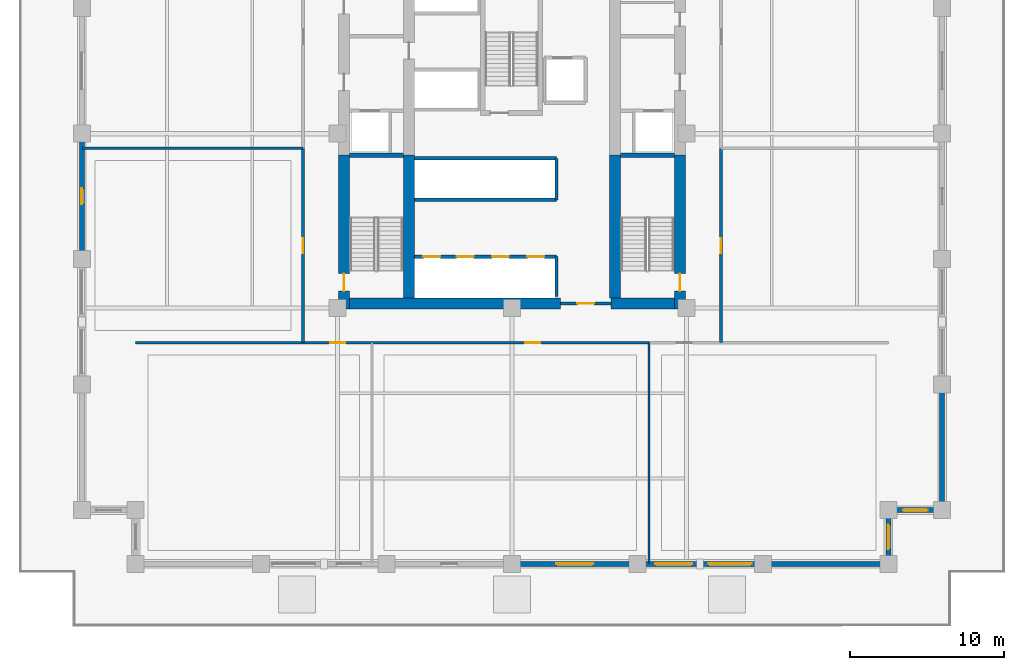
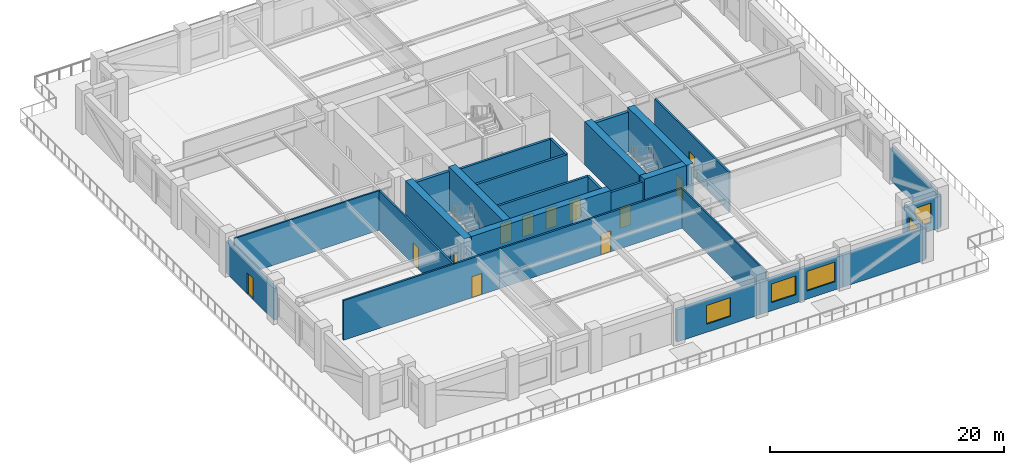
# One storey, part 3 of 13: 27 walls, 12 doors, 5 windows, 17 openings.
"""IFC4 building model written with IfcOpenShell, lengths in metres."""

from ifc_helpers import new_model, si_unit, direction, frame, frame_2d, origin, place, context, subcontext, project, spatial, rectangle, extrude, material, layer, layer_set, type_object, element, fill, save


model = new_model("IFC4")

# Units and contexts
model_context = context("Model", 3, precision=1e-05, world=origin(), true_north=direction((0.0, 1.0)))
body_context = subcontext(model_context, "Body", "Model", "MODEL_VIEW")
ifc_project = project(units=[si_unit("LENGTHUNIT", "METRE"), si_unit("AREAUNIT", "SQUARE_METRE"), si_unit("VOLUMEUNIT", "CUBIC_METRE"), si_unit("PLANEANGLEUNIT", "RADIAN"), si_unit("MASSUNIT", "GRAM", prefix="KILO")], contexts=[model_context])

# Site, building, storey
site_placement = place(None, origin())
site = spatial("IfcSite", under=ifc_project, at=site_placement, CompositionType="ELEMENT")
building_placement = place(site_placement, origin())
building = spatial("IfcBuilding", under=site, at=building_placement, Name="Nhamokura Convention Tower", CompositionType="ELEMENT")
storey_placement = place(building_placement, frame((0.0, 0.0, 34.300048828125)))
storey = spatial("IfcBuildingStorey", under=building, at=storey_placement, Name="L06", CompositionType="ELEMENT", Elevation=34.300048828125)

# Wall, opening, window
ifc_material_1 = material(Name="Bronze-pigmented precast concrete C45/55", Category="concrete")
ifc_layer_1 = layer(ifc_material_1, 0.320068359375)
ifc_layer_set_1 = layer_set([ifc_layer_1], Name="BronzePrecastSpandrel_320")
wall_type_1 = type_object("IfcWallType", Name="BronzePrecastSpandrel_320", PredefinedType="USERDEFINED", material=ifc_layer_set_1)
wall_1_placement = place(storey_placement, frame((40.166748046875, 4.0, 0.0), z_axis=(0.0, 0.0, 1.0), x_axis=(-1.0, 0.0, 0.0)))
wall_1 = element("IfcWall", 1, at=wall_1_placement, inside=storey, type_object=wall_type_1, Name="L06 Masonry-Frame Wall SOUTH 3", ObjectType="SPANDREL_WALL", PredefinedType="USERDEFINED", context=body_context, shape_type="SweptSolid", body=[
    extrude(rectangle(XDim=8.166748046875, YDim=0.320068359375, at=frame_2d((4.08349609375, 0.0))), origin(), (0.0, 0.0, 1.0), 3.329833984375),
])
opening_1_placement = place(wall_1_placement, frame((2.88330078125, 0.0, 0.85009765625)))
opening_1 = element("IfcOpeningElement", 2, at=opening_1_placement, cuts=wall_1, Name="Opening W-03", PredefinedType="OPENING", context=body_context, shape_type="SweptSolid", body=[
    extrude(rectangle(XDim=2.39990234375, YDim=1.949951171875, at=frame_2d((1.199951171875, 0.97509765625))), frame((0.0, 0.169921875, 0.0), z_axis=(0.0, -1.0, 0.0), x_axis=(1.0, 0.0, 0.0)), (0.0, 0.0, 1.0), 0.340087890625),
])
ifc_material_2 = material(Name="Solar-control bronze low-E double glass", Category="glass")
window_type_1 = type_object("IfcWindowType", Name="HotelBayWindow_2400", PartitioningType="DOUBLE_PANEL_VERTICAL", PredefinedType="WINDOW", material=ifc_material_2)
window_1_placement = place(opening_1_placement, origin())
window_1 = element("IfcWindow", 3, at=window_1_placement, inside=storey, type_object=window_type_1, Name="L06 Facade Window SOUTH 3", OverallHeight=1.949951171875, OverallWidth=2.39990234375, PartitioningType="SINGLE_PANEL", PredefinedType="WINDOW", context=body_context, shape_type="SweptSolid", body=[
    extrude(rectangle(XDim=2.39990234375, YDim=1.949951171875, at=frame_2d((1.199951171875, 0.97509765625))), frame((0.0, 0.030029296875, 0.0), z_axis=(0.0, -1.0, 0.0), x_axis=(1.0, 0.0, 0.0)), (0.0, 0.0, 1.0), 0.06005859375),
])
fill(opening_1, window_1)

# Wall, openings, windows
wall_2_placement = place(storey_placement, frame((48.333251953125, 4.0, 0.0), z_axis=(0.0, 0.0, 1.0), x_axis=(-1.0, 0.0, 0.0)))
wall_2 = element("IfcWall", 4, at=wall_2_placement, inside=storey, type_object=wall_type_1, Name="L06 Masonry-Frame Wall SOUTH 4", ObjectType="SPANDREL_WALL", PredefinedType="USERDEFINED", context=body_context, shape_type="SweptSolid", body=[
    extrude(rectangle(XDim=8.16650390625, YDim=0.320068359375, at=frame_2d((4.083251953125, 0.0))), origin(), (0.0, 0.0, 1.0), 3.329833984375),
])
opening_2_placement = place(wall_2_placement, frame((0.74169921875, 0.0, 0.85009765625)))
opening_2 = element("IfcOpeningElement", 5, at=opening_2_placement, cuts=wall_2, Name="Opening W-04", PredefinedType="OPENING", context=body_context, shape_type="SweptSolid", body=[
    extrude(rectangle(XDim=2.800048828125, YDim=2.050048828125, at=frame_2d((1.39990234375, 1.02490234375))), frame((0.0, 0.169921875, 0.0), z_axis=(0.0, -1.0, 0.0), x_axis=(1.0, 0.0, 0.0)), (0.0, 0.0, 1.0), 0.340087890625),
])
opening_3_placement = place(wall_2_placement, frame((4.612548828125, 0.0, 0.85009765625)))
opening_3 = element("IfcOpeningElement", 6, at=opening_3_placement, cuts=wall_2, Name="Opening W-03", PredefinedType="OPENING", context=body_context, shape_type="SweptSolid", body=[
    extrude(rectangle(XDim=2.39990234375, YDim=1.949951171875, at=frame_2d((1.199951171875, 0.97509765625))), frame((0.0, 0.169921875, 0.0), z_axis=(0.0, -1.0, 0.0), x_axis=(1.0, 0.0, 0.0)), (0.0, 0.0, 1.0), 0.340087890625),
])
window_2_placement = place(opening_3_placement, origin())
window_2 = element("IfcWindow", 7, at=window_2_placement, inside=storey, type_object=window_type_1, Name="L06 Facade Window SOUTH 4-2", OverallHeight=1.949951171875, OverallWidth=2.39990234375, PartitioningType="SINGLE_PANEL", PredefinedType="WINDOW", context=body_context, shape_type="SweptSolid", body=[
    extrude(rectangle(XDim=2.39990234375, YDim=1.949951171875, at=frame_2d((1.199951171875, 0.97509765625))), frame((0.0, 0.030029296875, 0.0), z_axis=(0.0, -1.0, 0.0), x_axis=(1.0, 0.0, 0.0)), (0.0, 0.0, 1.0), 0.06005859375),
])
fill(opening_3, window_2)
ifc_material_3 = material(Name="Solar-control bronze low-E double glass", Category="glass")
window_type_2 = type_object("IfcWindowType", Name="HotelSuiteWindow_2800", PartitioningType="DOUBLE_PANEL_VERTICAL", PredefinedType="WINDOW", material=ifc_material_3)
window_3_placement = place(opening_2_placement, origin())
window_3 = element("IfcWindow", 8, at=window_3_placement, inside=storey, type_object=window_type_2, Name="L06 Facade Window SOUTH 4-1", OverallHeight=2.050048828125, OverallWidth=2.800048828125, PartitioningType="SINGLE_PANEL", PredefinedType="WINDOW", context=body_context, shape_type="SweptSolid", body=[
    extrude(rectangle(XDim=2.800048828125, YDim=2.050048828125, at=frame_2d((1.39990234375, 1.02490234375))), frame((0.0, 0.030029296875, 0.0), z_axis=(0.0, -1.0, 0.0), x_axis=(1.0, 0.0, 0.0)), (0.0, 0.0, 1.0), 0.06005859375),
])
fill(opening_2, window_3)

# Wall
wall_3_placement = place(storey_placement, frame((56.5, 4.0, 0.0), z_axis=(0.0, 0.0, 1.0), x_axis=(-1.0, 0.0, 0.0)))
element("IfcWall", 9, at=wall_3_placement, inside=storey, type_object=wall_type_1, Name="L06 Braced-Bay Precast Wall SOUTH 5", ObjectType="SPANDREL_WALL", PredefinedType="USERDEFINED", context=body_context, shape_type="SweptSolid", body=[
    extrude(rectangle(XDim=8.166748046875, YDim=0.320068359375, at=frame_2d((4.08349609375, 0.0))), origin(), (0.0, 0.0, 1.0), 3.329833984375),
])

# Wall, opening, door
wall_4_placement = place(storey_placement, frame((4.0, 23.833251953125, 0.0), z_axis=(0.0, 0.0, 1.0), x_axis=(0.0, 1.0, 0.0)))
wall_4 = element("IfcWall", 10, at=wall_4_placement, inside=storey, type_object=wall_type_1, Name="L06 Masonry-Frame Wall WEST 2", ObjectType="SPANDREL_WALL", PredefinedType="USERDEFINED", context=body_context, shape_type="SweptSolid", body=[
    extrude(rectangle(XDim=8.166748046875, YDim=0.320068359375, at=frame_2d((4.08349609375, 0.0))), origin(), (0.0, 0.0, 1.0), 3.329833984375),
])
opening_4_placement = place(wall_4_placement, frame((3.558349609375, 0.0, 0.0)))
opening_4 = element("IfcOpeningElement", 11, at=opening_4_placement, cuts=wall_4, Name="Opening D-06", PredefinedType="OPENING", context=body_context, shape_type="SweptSolid", body=[
    extrude(rectangle(XDim=1.050048828125, YDim=2.199951171875, at=frame_2d((0.52490234375, 1.10009765625))), frame((0.0, 0.169921875, 0.0), z_axis=(0.0, -1.0, 0.0), x_axis=(1.0, 0.0, 0.0)), (0.0, 0.0, 1.0), 0.340087890625),
])
ifc_material_4 = material(Name="Anodised bronze aluminium AA6063-T6", Category="aluminium")
door_type_1 = type_object("IfcDoorType", Name="TerraceAccessDoor_1050", OperationType="NOTDEFINED", PredefinedType="DOOR", material=ifc_material_4)
door_1_placement = place(opening_4_placement, origin())
door_1 = element("IfcDoor", 12, at=door_1_placement, inside=storey, type_object=door_type_1, Name="L06 Setback Terrace Access Door WEST", OperationType="SINGLE_SWING_RIGHT", OverallHeight=2.199951171875, OverallWidth=1.050048828125, PredefinedType="DOOR", context=body_context, shape_type="SweptSolid", body=[
    extrude(rectangle(XDim=1.050048828125, YDim=2.199951171875, at=frame_2d((0.52490234375, 1.10009765625))), frame((0.0, 0.02490234375, 0.0), z_axis=(0.0, -1.0, 0.0), x_axis=(1.0, 0.0, 0.0)), (0.0, 0.0, 1.0), 0.050048828125),
])
fill(opening_4, door_1)

# Wall
wall_5_placement = place(storey_placement, frame((60.0, 15.666748046875, 0.0), z_axis=(0.0, 0.0, 1.0), x_axis=(0.0, -1.0, 0.0)))
element("IfcWall", 13, at=wall_5_placement, inside=storey, type_object=wall_type_1, Name="L06 Braced-Bay Precast Wall EAST 0", ObjectType="SPANDREL_WALL", PredefinedType="USERDEFINED", context=body_context, shape_type="SweptSolid", body=[
    extrude(rectangle(XDim=8.166748046875, YDim=0.320068359375, at=frame_2d((4.08349609375, 0.0))), origin(), (0.0, 0.0, 1.0), 3.329833984375),
])

# Wall, opening, window
wall_6_placement = place(storey_placement, frame((56.5, 7.5, 0.0), z_axis=(0.0, 0.0, 1.0), x_axis=(0.0, -1.0, 0.0)))
wall_6 = element("IfcWall", 14, at=wall_6_placement, inside=storey, type_object=wall_type_1, Name="L06 Notched Corner Wall SE1", ObjectType="SPANDREL_WALL", PredefinedType="USERDEFINED", context=body_context, shape_type="SweptSolid", body=[
    extrude(rectangle(XDim=3.5, YDim=0.320068359375, at=frame_2d((1.75, 0.0))), origin(), (0.0, 0.0, 1.0), 3.329833984375),
])
opening_5_placement = place(wall_6_placement, frame((0.949951171875, 0.0, 0.85009765625)))
opening_5 = element("IfcOpeningElement", 15, at=opening_5_placement, cuts=wall_6, Name="Opening W-11", PredefinedType="OPENING", context=body_context, shape_type="SweptSolid", body=[
    extrude(rectangle(XDim=1.60009765625, YDim=2.050048828125, at=frame_2d((0.800048828125, 1.02490234375))), frame((0.0, 0.169921875, 0.0), z_axis=(0.0, -1.0, 0.0), x_axis=(1.0, 0.0, 0.0)), (0.0, 0.0, 1.0), 0.340087890625),
])
ifc_material_5 = material(Name="Solar-control bronze low-E double glass", Category="glass")
window_type_3 = type_object("IfcWindowType", Name="NotchCornerWindow_1600", PartitioningType="SINGLE_PANEL", PredefinedType="WINDOW", material=ifc_material_5)
window_4_placement = place(opening_5_placement, origin())
window_4 = element("IfcWindow", 16, at=window_4_placement, inside=storey, type_object=window_type_3, Name="L06 Notched Corner Window SE1", OverallHeight=2.050048828125, OverallWidth=1.60009765625, PartitioningType="SINGLE_PANEL", PredefinedType="WINDOW", context=body_context, shape_type="SweptSolid", body=[
    extrude(rectangle(XDim=1.60009765625, YDim=2.050048828125, at=frame_2d((0.800048828125, 1.02490234375))), frame((0.0, 0.030029296875, 0.0), z_axis=(0.0, -1.0, 0.0), x_axis=(1.0, 0.0, 0.0)), (0.0, 0.0, 1.0), 0.06005859375),
])
fill(opening_5, window_4)

wall_7_placement = place(storey_placement, frame((60.0, 7.5, 0.0), z_axis=(0.0, 0.0, 1.0), x_axis=(-1.0, 0.0, 0.0)))
wall_7 = element("IfcWall", 17, at=wall_7_placement, inside=storey, type_object=wall_type_1, Name="L06 Notched Corner Wall SE2", ObjectType="SPANDREL_WALL", PredefinedType="USERDEFINED", context=body_context, shape_type="SweptSolid", body=[
    extrude(rectangle(XDim=3.5, YDim=0.320068359375, at=frame_2d((1.75, 0.0))), origin(), (0.0, 0.0, 1.0), 3.329833984375),
])
opening_6_placement = place(wall_7_placement, frame((0.949951171875, 0.0, 0.85009765625)))
opening_6 = element("IfcOpeningElement", 18, at=opening_6_placement, cuts=wall_7, Name="Opening W-11", PredefinedType="OPENING", context=body_context, shape_type="SweptSolid", body=[
    extrude(rectangle(XDim=1.60009765625, YDim=2.050048828125, at=frame_2d((0.800048828125, 1.02490234375))), frame((0.0, 0.169921875, 0.0), z_axis=(0.0, -1.0, 0.0), x_axis=(1.0, 0.0, 0.0)), (0.0, 0.0, 1.0), 0.340087890625),
])
window_5_placement = place(opening_6_placement, origin())
window_5 = element("IfcWindow", 19, at=window_5_placement, inside=storey, type_object=window_type_3, Name="L06 Notched Corner Window SE2", OverallHeight=2.050048828125, OverallWidth=1.60009765625, PartitioningType="SINGLE_PANEL", PredefinedType="WINDOW", context=body_context, shape_type="SweptSolid", body=[
    extrude(rectangle(XDim=1.60009765625, YDim=2.050048828125, at=frame_2d((0.800048828125, 1.02490234375))), frame((0.0, 0.030029296875, 0.0), z_axis=(0.0, -1.0, 0.0), x_axis=(1.0, 0.0, 0.0)), (0.0, 0.0, 1.0), 0.06005859375),
])
fill(opening_6, window_5)

# Wall, opening, door
ifc_material_6 = material(Name="Concrete C70/85", Category="concrete")
ifc_layer_2 = layer(ifc_material_6, 0.699951171875)
ifc_layer_set_2 = layer_set([ifc_layer_2], Name="CoreShearWall_700")
wall_type_2 = type_object("IfcWallType", Name="CoreShearWall_700", PredefinedType="SHEAR", material=ifc_layer_set_2)
wall_8_placement = place(storey_placement, frame((21.06005859375, 20.60009765625, 0.0), z_axis=(0.0, 0.0, 1.0), x_axis=(0.0, 1.0, 0.0)))
wall_8 = element("IfcWall", 20, at=wall_8_placement, inside=storey, type_object=wall_type_2, Name="L06 Core Shear Wall CW-WS", PredefinedType="SHEAR", context=body_context, shape_type="SweptSolid", body=[
    extrude(rectangle(XDim=10.0, YDim=0.699951171875, at=frame_2d((5.0, 0.0))), origin(), (0.0, 0.0, 1.0), 4.550048828125),
])
opening_7_placement = place(wall_8_placement, frame((1.14990234375, 0.0, 0.0)))
opening_7 = element("IfcOpeningElement", 21, at=opening_7_placement, cuts=wall_8, Name="Opening D-04", PredefinedType="OPENING", context=body_context, shape_type="SweptSolid", body=[
    extrude(rectangle(XDim=1.14990234375, YDim=2.14990234375, at=frame_2d((0.574951171875, 1.074951171875))), frame((0.0, 0.35986328125, 0.0), z_axis=(0.0, -1.0, 0.0), x_axis=(1.0, 0.0, 0.0)), (0.0, 0.0, 1.0), 0.719970703125),
])
ifc_material_7 = material(Name="Fire-rated steel door", Category="steel")
door_type_2 = type_object("IfcDoorType", Name="StairSmokeDoor_1150", OperationType="NOTDEFINED", PredefinedType="DOOR", material=ifc_material_7)
door_2_placement = place(opening_7_placement, origin())
door_2 = element("IfcDoor", 22, at=door_2_placement, inside=storey, type_object=door_type_2, Name="L06 Core Door INT-L06-D-ST01", OperationType="SINGLE_SWING_LEFT", OverallHeight=2.14990234375, OverallWidth=1.14990234375, PredefinedType="DOOR", context=body_context, shape_type="SweptSolid", body=[
    extrude(rectangle(XDim=1.14990234375, YDim=2.14990234375, at=frame_2d((0.574951171875, 1.074951171875))), frame((0.0, 0.02490234375, 0.0), z_axis=(0.0, -1.0, 0.0), x_axis=(1.0, 0.0, 0.0)), (0.0, 0.0, 1.0), 0.050048828125),
])
fill(opening_7, door_2)

wall_9_placement = place(storey_placement, frame((42.93994140625, 20.60009765625, 0.0), z_axis=(0.0, 0.0, 1.0), x_axis=(0.0, 1.0, 0.0)))
wall_9 = element("IfcWall", 23, at=wall_9_placement, inside=storey, type_object=wall_type_2, Name="L06 Core Shear Wall CW-ES", PredefinedType="SHEAR", context=body_context, shape_type="SweptSolid", body=[
    extrude(rectangle(XDim=10.0, YDim=0.699951171875, at=frame_2d((5.0, 0.0))), origin(), (0.0, 0.0, 1.0), 4.550048828125),
])
opening_8_placement = place(wall_9_placement, frame((1.14990234375, 0.0, 0.0)))
opening_8 = element("IfcOpeningElement", 24, at=opening_8_placement, cuts=wall_9, Name="Opening D-04", PredefinedType="OPENING", context=body_context, shape_type="SweptSolid", body=[
    extrude(rectangle(XDim=1.14990234375, YDim=2.14990234375, at=frame_2d((0.574951171875, 1.074951171875))), frame((0.0, 0.35986328125, 0.0), z_axis=(0.0, -1.0, 0.0), x_axis=(1.0, 0.0, 0.0)), (0.0, 0.0, 1.0), 0.719970703125),
])
door_3_placement = place(opening_8_placement, origin())
door_3 = element("IfcDoor", 25, at=door_3_placement, inside=storey, type_object=door_type_2, Name="L06 Core Door INT-L06-D-ST02", OperationType="SINGLE_SWING_RIGHT", OverallHeight=2.14990234375, OverallWidth=1.14990234375, PredefinedType="DOOR", context=body_context, shape_type="SweptSolid", body=[
    extrude(rectangle(XDim=1.14990234375, YDim=2.14990234375, at=frame_2d((0.574951171875, 1.074951171875))), frame((0.0, 0.02490234375, 0.0), z_axis=(0.0, -1.0, 0.0), x_axis=(1.0, 0.0, 0.0)), (0.0, 0.0, 1.0), 0.050048828125),
])
fill(opening_8, door_3)

# Walls
wall_10_placement = place(storey_placement, frame((21.409912109375, 20.949951171875, 0.0), z_axis=(0.0, 0.0, 1.0), x_axis=(1.0, 0.0, 0.0)))
element("IfcWall", 26, at=wall_10_placement, inside=storey, type_object=wall_type_2, Name="L06 Core Shear Wall CW-S1", PredefinedType="SHEAR", context=body_context, shape_type="SweptSolid", body=[
    extrude(rectangle(XDim=13.739990234375, YDim=0.699951171875, at=frame_2d((6.8701171875, 0.0))), origin(), (0.0, 0.0, 1.0), 4.550048828125),
])
wall_11_placement = place(storey_placement, frame((38.449951171875, 20.949951171875, 0.0), z_axis=(0.0, 0.0, 1.0), x_axis=(1.0, 0.0, 0.0)))
element("IfcWall", 27, at=wall_11_placement, inside=storey, type_object=wall_type_2, Name="L06 Core Shear Wall CW-S2", PredefinedType="SHEAR", context=body_context, shape_type="SweptSolid", body=[
    extrude(rectangle(XDim=4.14013671875, YDim=0.699951171875, at=frame_2d((2.070068359375, 0.0))), origin(), (0.0, 0.0, 1.0), 4.550048828125),
])
for number, where, z_axis, x_axis, name in (
    (28, (25.2900390625, 21.300048828125, 0.0), (0.0, 0.0, 1.0), (0.0, 1.0, 0.0), "L06 Core Shear Wall CW-IWS"),
    (29, (38.7099609375, 21.300048828125, 0.0), (0.0, 0.0, 1.0), (0.0, 1.0, 0.0), "L06 Core Shear Wall CW-IES"),
):
    element("IfcWall", number, at=place(storey_placement, frame(where, z_axis=z_axis, x_axis=x_axis)), inside=storey, type_object=wall_type_2, Name=name, PredefinedType="SHEAR", context=body_context, shape_type="SweptSolid", body=[
        extrude(rectangle(XDim=9.300048828125, YDim=0.699951171875, at=frame_2d((4.64990234375, 0.0))), origin(), (0.0, 0.0, 1.0), 4.550048828125),
    ])

# Wall, opening, door
ifc_material_8 = material(Name="Fire-rated gypsum and masonry partition", Category="masonry")
ifc_layer_3 = layer(ifc_material_8, 0.179931640625)
ifc_layer_set_3 = layer_set([ifc_layer_3], Name="CorridorRatedWall_180")
wall_type_3 = type_object("IfcWallType", Name="CorridorRatedWall_180", PredefinedType="STANDARD", material=ifc_layer_set_3)
wall_12_placement = place(storey_placement, frame((7.5, 18.39990234375, 0.0), z_axis=(0.0, 0.0, 1.0), x_axis=(1.0, 0.0, 0.0)))
wall_12 = element("IfcWall", 30, at=wall_12_placement, inside=storey, type_object=wall_type_3, Name="L06 Wall INT-L06-CW-S00", PredefinedType="STANDARD", context=body_context, shape_type="SweptSolid", body=[
    extrude(rectangle(XDim=15.38330078125, YDim=0.179931640625, at=frame_2d((7.691650390625, 0.0))), origin(), (0.0, 0.0, 1.0), 4.1298828125),
])
opening_9_placement = place(wall_12_placement, frame((12.66650390625, 0.0, 0.0)))
opening_9 = element("IfcOpeningElement", 31, at=opening_9_placement, cuts=wall_12, Name="Opening D-08", PredefinedType="OPENING", context=body_context, shape_type="SweptSolid", body=[
    extrude(rectangle(XDim=0.97998046875, YDim=2.199951171875, at=frame_2d((0.489990234375, 1.10009765625))), frame((0.0, 0.099853515625, 0.0), z_axis=(0.0, -1.0, 0.0), x_axis=(1.0, 0.0, 0.0)), (0.0, 0.0, 1.0), 0.199951171875),
])
ifc_material_9 = material(Name="Solid oak hardwood", Category="wood")
door_type_3 = type_object("IfcDoorType", Name="OfficeEntryDoor_980", OperationType="NOTDEFINED", PredefinedType="DOOR", material=ifc_material_9)
door_4_placement = place(opening_9_placement, origin())
door_4 = element("IfcDoor", 32, at=door_4_placement, inside=storey, type_object=door_type_3, Name="L06 All-Day Dining Restaurant S01 Door", OperationType="SINGLE_SWING_LEFT", OverallHeight=2.199951171875, OverallWidth=0.97998046875, PredefinedType="DOOR", context=body_context, shape_type="SweptSolid", body=[
    extrude(rectangle(XDim=0.97998046875, YDim=2.199951171875, at=frame_2d((0.489990234375, 1.10009765625))), frame((0.0, 0.02490234375, 0.0), z_axis=(0.0, -1.0, 0.0), x_axis=(1.0, 0.0, 0.0)), (0.0, 0.0, 1.0), 0.050048828125),
])
fill(opening_9, door_4)

wall_13_placement = place(storey_placement, frame((22.88330078125, 18.39990234375, 0.0), z_axis=(0.0, 0.0, 1.0), x_axis=(1.0, 0.0, 0.0)))
wall_13 = element("IfcWall", 33, at=wall_13_placement, inside=storey, type_object=wall_type_3, Name="L06 Wall INT-L06-CW-S01", PredefinedType="STANDARD", context=body_context, shape_type="SweptSolid", body=[
    extrude(rectangle(XDim=18.033447265625, YDim=0.179931640625, at=frame_2d((9.0166015625, 0.0))), origin(), (0.0, 0.0, 1.0), 4.1298828125),
])
opening_10_placement = place(wall_13_placement, frame((9.966796875, 0.0, 0.0)))
opening_10 = element("IfcOpeningElement", 34, at=opening_10_placement, cuts=wall_13, Name="Opening D-08", PredefinedType="OPENING", context=body_context, shape_type="SweptSolid", body=[
    extrude(rectangle(XDim=0.97998046875, YDim=2.199951171875, at=frame_2d((0.489990234375, 1.10009765625))), frame((0.0, 0.099853515625, 0.0), z_axis=(0.0, -1.0, 0.0), x_axis=(1.0, 0.0, 0.0)), (0.0, 0.0, 1.0), 0.199951171875),
])
door_5_placement = place(opening_10_placement, origin())
door_5 = element("IfcDoor", 35, at=door_5_placement, inside=storey, type_object=door_type_3, Name="L06 Podium Terrace Lounge S02 Door", OperationType="SINGLE_SWING_RIGHT", OverallHeight=2.199951171875, OverallWidth=0.97998046875, PredefinedType="DOOR", context=body_context, shape_type="SweptSolid", body=[
    extrude(rectangle(XDim=0.97998046875, YDim=2.199951171875, at=frame_2d((0.489990234375, 1.10009765625))), frame((0.0, 0.02490234375, 0.0), z_axis=(0.0, -1.0, 0.0), x_axis=(1.0, 0.0, 0.0)), (0.0, 0.0, 1.0), 0.050048828125),
])
fill(opening_10, door_5)

wall_14_placement = place(storey_placement, frame((18.39990234375, 18.39990234375, 0.0), z_axis=(0.0, 0.0, 1.0), x_axis=(0.0, 1.0, 0.0)))
wall_14 = element("IfcWall", 36, at=wall_14_placement, inside=storey, type_object=wall_type_3, Name="L06 Wall INT-L06-CW-W00", PredefinedType="STANDARD", context=body_context, shape_type="SweptSolid", body=[
    extrude(rectangle(XDim=12.650146484375, YDim=0.179931640625, at=frame_2d((6.3251953125, 0.0))), origin(), (0.0, 0.0, 1.0), 4.1298828125),
])
opening_11_placement = place(wall_14_placement, frame((5.824951171875, 0.0, 0.0)))
opening_11 = element("IfcOpeningElement", 37, at=opening_11_placement, cuts=wall_14, Name="Opening D-08", PredefinedType="OPENING", context=body_context, shape_type="SweptSolid", body=[
    extrude(rectangle(XDim=0.97998046875, YDim=2.199951171875, at=frame_2d((0.489990234375, 1.10009765625))), frame((0.0, 0.099853515625, 0.0), z_axis=(0.0, -1.0, 0.0), x_axis=(1.0, 0.0, 0.0)), (0.0, 0.0, 1.0), 0.199951171875),
])
door_6_placement = place(opening_11_placement, origin())
door_6 = element("IfcDoor", 38, at=door_6_placement, inside=storey, type_object=door_type_3, Name="L06 Restaurant Kitchen W01 Door", OperationType="SINGLE_SWING_LEFT", OverallHeight=2.199951171875, OverallWidth=0.97998046875, PredefinedType="DOOR", context=body_context, shape_type="SweptSolid", body=[
    extrude(rectangle(XDim=0.97998046875, YDim=2.199951171875, at=frame_2d((0.489990234375, 1.10009765625))), frame((0.0, 0.02490234375, 0.0), z_axis=(0.0, -1.0, 0.0), x_axis=(1.0, 0.0, 0.0)), (0.0, 0.0, 1.0), 0.050048828125),
])
fill(opening_11, door_6)

wall_15_placement = place(storey_placement, frame((45.60009765625, 18.39990234375, 0.0), z_axis=(0.0, 0.0, 1.0), x_axis=(0.0, 1.0, 0.0)))
wall_15 = element("IfcWall", 39, at=wall_15_placement, inside=storey, type_object=wall_type_3, Name="L06 Wall INT-L06-CW-E00", PredefinedType="STANDARD", context=body_context, shape_type="SweptSolid", body=[
    extrude(rectangle(XDim=12.650146484375, YDim=0.179931640625, at=frame_2d((6.3251953125, 0.0))), origin(), (0.0, 0.0, 1.0), 4.1298828125),
])
opening_12_placement = place(wall_15_placement, frame((5.824951171875, 0.0, 0.0)))
opening_12 = element("IfcOpeningElement", 40, at=opening_12_placement, cuts=wall_15, Name="Opening D-08", PredefinedType="OPENING", context=body_context, shape_type="SweptSolid", body=[
    extrude(rectangle(XDim=0.97998046875, YDim=2.199951171875, at=frame_2d((0.489990234375, 1.10009765625))), frame((0.0, 0.099853515625, 0.0), z_axis=(0.0, -1.0, 0.0), x_axis=(1.0, 0.0, 0.0)), (0.0, 0.0, 1.0), 0.199951171875),
])
door_7_placement = place(opening_12_placement, origin())
door_7 = element("IfcDoor", 41, at=door_7_placement, inside=storey, type_object=door_type_3, Name="L06 Club Lounge E01 Door", OperationType="SINGLE_SWING_LEFT", OverallHeight=2.199951171875, OverallWidth=0.97998046875, PredefinedType="DOOR", context=body_context, shape_type="SweptSolid", body=[
    extrude(rectangle(XDim=0.97998046875, YDim=2.199951171875, at=frame_2d((0.489990234375, 1.10009765625))), frame((0.0, 0.02490234375, 0.0), z_axis=(0.0, -1.0, 0.0), x_axis=(1.0, 0.0, 0.0)), (0.0, 0.0, 1.0), 0.050048828125),
])
fill(opening_12, door_7)

ifc_material_10 = material(Name="Autoclaved concrete blockwork", Category="masonry")
ifc_layer_4 = layer(ifc_material_10, 0.219970703125)
ifc_layer_set_4 = layer_set([ifc_layer_4], Name="FireLobbyWall_220")
wall_type_4 = type_object("IfcWallType", Name="FireLobbyWall_220", PredefinedType="STANDARD", material=ifc_layer_set_4)
wall_16_placement = place(storey_placement, frame((35.14990234375, 20.949951171875, 0.0), z_axis=(0.0, 0.0, 1.0), x_axis=(1.0, 0.0, 0.0)))
wall_16 = element("IfcWall", 42, at=wall_16_placement, inside=storey, type_object=wall_type_4, Name="L06 Wall INT-L06-SPORT-S", PredefinedType="STANDARD", context=body_context, shape_type="SweptSolid", body=[
    extrude(rectangle(XDim=3.300048828125, YDim=0.219970703125, at=frame_2d((1.64990234375, 0.0))), origin(), (0.0, 0.0, 1.0), 4.1298828125),
])
opening_13_placement = place(wall_16_placement, frame((1.10009765625, 0.0, 0.0)))
opening_13 = element("IfcOpeningElement", 43, at=opening_13_placement, cuts=wall_16, Name="Opening D-05", PredefinedType="OPENING", context=body_context, shape_type="SweptSolid", body=[
    extrude(rectangle(XDim=1.10009765625, YDim=2.14990234375, at=frame_2d((0.550048828125, 1.074951171875))), frame((0.0, 0.119873046875, 0.0), z_axis=(0.0, -1.0, 0.0), x_axis=(1.0, 0.0, 0.0)), (0.0, 0.0, 1.0), 0.239990234375),
])
ifc_material_11 = material(Name="Fire-rated steel door", Category="steel")
door_type_4 = type_object("IfcDoorType", Name="FireLobbyDoor_1100", OperationType="NOTDEFINED", PredefinedType="DOOR", material=ifc_material_11)
door_8_placement = place(opening_13_placement, origin())
door_8 = element("IfcDoor", 44, at=door_8_placement, inside=storey, type_object=door_type_4, Name="L06 South Core Lobby Portal Door", OperationType="SINGLE_SWING_LEFT", OverallHeight=2.14990234375, OverallWidth=1.10009765625, PredefinedType="DOOR", context=body_context, shape_type="SweptSolid", body=[
    extrude(rectangle(XDim=1.10009765625, YDim=2.14990234375, at=frame_2d((0.550048828125, 1.074951171875))), frame((0.0, 0.02490234375, 0.0), z_axis=(0.0, -1.0, 0.0), x_axis=(1.0, 0.0, 0.0)), (0.0, 0.0, 1.0), 0.050048828125),
])
fill(opening_13, door_8)

# Wall, openings, doors
wall_17_placement = place(storey_placement, frame((25.64990234375, 24.0, 0.0), z_axis=(0.0, 0.0, 1.0), x_axis=(1.0, 0.0, 0.0)))
wall_17 = element("IfcWall", 45, at=wall_17_placement, inside=storey, type_object=wall_type_4, Name="L06 Wall INT-L06-B1N", PredefinedType="STANDARD", context=body_context, shape_type="SweptSolid", body=[
    extrude(rectangle(XDim=9.25, YDim=0.219970703125, at=frame_2d((4.625, 0.0))), origin(), (0.0, 0.0, 1.0), 4.1298828125),
])
opening_14_placement = place(wall_17_placement, frame((0.580078125, 0.0, 0.0)))
opening_14 = element("IfcOpeningElement", 46, at=opening_14_placement, cuts=wall_17, Name="Opening LD-01", PredefinedType="OPENING", context=body_context, shape_type="SweptSolid", body=[
    extrude(rectangle(XDim=1.10009765625, YDim=2.14990234375, at=frame_2d((0.550048828125, 1.074951171875))), frame((0.0, 0.119873046875, 0.0), z_axis=(0.0, -1.0, 0.0), x_axis=(1.0, 0.0, 0.0)), (0.0, 0.0, 1.0), 0.239990234375),
])
opening_15_placement = place(wall_17_placement, frame((2.75, 0.0, 0.0)))
opening_15 = element("IfcOpeningElement", 47, at=opening_15_placement, cuts=wall_17, Name="Opening LD-01", PredefinedType="OPENING", context=body_context, shape_type="SweptSolid", body=[
    extrude(rectangle(XDim=1.10009765625, YDim=2.14990234375, at=frame_2d((0.550048828125, 1.074951171875))), frame((0.0, 0.119873046875, 0.0), z_axis=(0.0, -1.0, 0.0), x_axis=(1.0, 0.0, 0.0)), (0.0, 0.0, 1.0), 0.239990234375),
])
opening_16_placement = place(wall_17_placement, frame((5.050048828125, 0.0, 0.0)))
opening_16 = element("IfcOpeningElement", 48, at=opening_16_placement, cuts=wall_17, Name="Opening LD-01", PredefinedType="OPENING", context=body_context, shape_type="SweptSolid", body=[
    extrude(rectangle(XDim=1.10009765625, YDim=2.14990234375, at=frame_2d((0.550048828125, 1.074951171875))), frame((0.0, 0.119873046875, 0.0), z_axis=(0.0, -1.0, 0.0), x_axis=(1.0, 0.0, 0.0)), (0.0, 0.0, 1.0), 0.239990234375),
])
opening_17_placement = place(wall_17_placement, frame((7.35009765625, 0.0, 0.0)))
opening_17 = element("IfcOpeningElement", 49, at=opening_17_placement, cuts=wall_17, Name="Opening LD-01", PredefinedType="OPENING", context=body_context, shape_type="SweptSolid", body=[
    extrude(rectangle(XDim=1.10009765625, YDim=2.14990234375, at=frame_2d((0.550048828125, 1.074951171875))), frame((0.0, 0.119873046875, 0.0), z_axis=(0.0, -1.0, 0.0), x_axis=(1.0, 0.0, 0.0)), (0.0, 0.0, 1.0), 0.239990234375),
])
ifc_material_12 = material(Name="Anodised bronze stainless steel", Category="steel")
door_type_5 = type_object("IfcDoorType", Name="LiftLandingDoor_Passenger", OperationType="DOUBLE_DOOR_SLIDING", PredefinedType="DOOR", material=ifc_material_12)
door_9_placement = place(opening_14_placement, origin())
door_9 = element("IfcDoor", 50, at=door_9_placement, inside=storey, type_object=door_type_5, Name="L06 Lift LP-01 Landing Door", OperationType="DOUBLE_DOOR_SLIDING", OverallHeight=2.14990234375, OverallWidth=1.10009765625, PredefinedType="DOOR", context=body_context, shape_type="SweptSolid", body=[
    extrude(rectangle(XDim=1.10009765625, YDim=2.14990234375, at=frame_2d((0.550048828125, 1.074951171875))), frame((0.0, 0.02490234375, 0.0), z_axis=(0.0, -1.0, 0.0), x_axis=(1.0, 0.0, 0.0)), (0.0, 0.0, 1.0), 0.050048828125),
])
fill(opening_14, door_9)
door_10_placement = place(opening_15_placement, origin())
door_10 = element("IfcDoor", 51, at=door_10_placement, inside=storey, type_object=door_type_5, Name="L06 Lift LP-02 Landing Door", OperationType="DOUBLE_DOOR_SLIDING", OverallHeight=2.14990234375, OverallWidth=1.10009765625, PredefinedType="DOOR", context=body_context, shape_type="SweptSolid", body=[
    extrude(rectangle(XDim=1.10009765625, YDim=2.14990234375, at=frame_2d((0.550048828125, 1.074951171875))), frame((0.0, 0.02490234375, 0.0), z_axis=(0.0, -1.0, 0.0), x_axis=(1.0, 0.0, 0.0)), (0.0, 0.0, 1.0), 0.050048828125),
])
fill(opening_15, door_10)
door_11_placement = place(opening_16_placement, origin())
door_11 = element("IfcDoor", 52, at=door_11_placement, inside=storey, type_object=door_type_5, Name="L06 Lift LP-03 Landing Door", OperationType="DOUBLE_DOOR_SLIDING", OverallHeight=2.14990234375, OverallWidth=1.10009765625, PredefinedType="DOOR", context=body_context, shape_type="SweptSolid", body=[
    extrude(rectangle(XDim=1.10009765625, YDim=2.14990234375, at=frame_2d((0.550048828125, 1.074951171875))), frame((0.0, 0.02490234375, 0.0), z_axis=(0.0, -1.0, 0.0), x_axis=(1.0, 0.0, 0.0)), (0.0, 0.0, 1.0), 0.050048828125),
])
fill(opening_16, door_11)
door_12_placement = place(opening_17_placement, origin())
door_12 = element("IfcDoor", 53, at=door_12_placement, inside=storey, type_object=door_type_5, Name="L06 Lift LP-04 Landing Door", OperationType="DOUBLE_DOOR_SLIDING", OverallHeight=2.14990234375, OverallWidth=1.10009765625, PredefinedType="DOOR", context=body_context, shape_type="SweptSolid", body=[
    extrude(rectangle(XDim=1.10009765625, YDim=2.14990234375, at=frame_2d((0.550048828125, 1.074951171875))), frame((0.0, 0.02490234375, 0.0), z_axis=(0.0, -1.0, 0.0), x_axis=(1.0, 0.0, 0.0)), (0.0, 0.0, 1.0), 0.050048828125),
])
fill(opening_17, door_12)

# Walls
wall_18_placement = place(storey_placement, frame((34.89990234375, 21.39990234375, 0.0), z_axis=(0.0, 0.0, 1.0), x_axis=(0.0, 1.0, 0.0)))
element("IfcWall", 54, at=wall_18_placement, inside=storey, type_object=wall_type_4, Name="L06 Wall INT-L06-B1E", PredefinedType="STANDARD", context=body_context, shape_type="SweptSolid", body=[
    extrude(rectangle(XDim=2.60009765625, YDim=0.219970703125, at=frame_2d((1.300048828125, 0.0))), origin(), (0.0, 0.0, 1.0), 4.1298828125),
])
for number, where, z_axis, x_axis, name in (
    (55, (25.64990234375, 27.699951171875, 0.0), (0.0, 0.0, 1.0), (1.0, 0.0, 0.0), "L06 Wall INT-L06-B2S"),
    (56, (25.64990234375, 30.39990234375, 0.0), (0.0, 0.0, 1.0), (1.0, 0.0, 0.0), "L06 Wall INT-L06-B2N"),
):
    element("IfcWall", number, at=place(storey_placement, frame(where, z_axis=z_axis, x_axis=x_axis)), inside=storey, type_object=wall_type_4, Name=name, PredefinedType="STANDARD", context=body_context, shape_type="SweptSolid", body=[
        extrude(rectangle(XDim=9.25, YDim=0.219970703125, at=frame_2d((4.625, 0.0))), origin(), (0.0, 0.0, 1.0), 4.1298828125),
    ])
wall_19_placement = place(storey_placement, frame((34.89990234375, 27.699951171875, 0.0), z_axis=(0.0, 0.0, 1.0), x_axis=(0.0, 1.0, 0.0)))
element("IfcWall", 57, at=wall_19_placement, inside=storey, type_object=wall_type_4, Name="L06 Wall INT-L06-B2E", PredefinedType="STANDARD", context=body_context, shape_type="SweptSolid", body=[
    extrude(rectangle(XDim=2.699951171875, YDim=0.219970703125, at=frame_2d((1.35009765625, 0.0))), origin(), (0.0, 0.0, 1.0), 4.1298828125),
])
ifc_material_13 = material(Name="Acoustic gypsum stud partition", Category="masonry")
ifc_layer_5 = layer(ifc_material_13, 0.14990234375)
ifc_layer_set_5 = layer_set([ifc_layer_5], Name="InteriorPartition_150")
wall_type_5 = type_object("IfcWallType", Name="InteriorPartition_150", PredefinedType="STANDARD", material=ifc_layer_set_5)
for number, where, z_axis, x_axis, name in (
    (58, (40.916748046875, 4.06005859375, 0.0), (0.0, 0.0, 1.0), (0.0, 1.0, 0.0), "L06 Wall INT-L06-RW-S02"),
    (59, (4.06005859375, 31.050048828125, 0.0), (0.0, 0.0, 1.0), (1.0, 0.0, 0.0), "L06 Wall INT-L06-RW-W01"),
):
    element("IfcWall", number, at=place(storey_placement, frame(where, z_axis=z_axis, x_axis=x_axis)), inside=storey, type_object=wall_type_5, Name=name, PredefinedType="STANDARD", context=body_context, shape_type="SweptSolid", body=[
        extrude(rectangle(XDim=14.33984375, YDim=0.14990234375, at=frame_2d((7.169921875, 0.0))), origin(), (0.0, 0.0, 1.0), 4.1298828125),
    ])
ifc_material_14 = material(Name="Concrete C50/60", Category="concrete")
ifc_layer_6 = layer(ifc_material_14, 0.300048828125)
ifc_layer_set_6 = layer_set([ifc_layer_6], Name="ShaftEnclosureWall_300")
wall_type_6 = type_object("IfcWallType", Name="ShaftEnclosureWall_300", PredefinedType="SHEAR", material=ifc_layer_set_6)
for number, where, z_axis, x_axis, name in (
    (60, (21.409912109375, 30.60009765625, 0.0), (0.0, 0.0, 1.0), (1.0, 0.0, 0.0), "L06 Wall INT-L06-ST01-N"),
    (61, (39.06005859375, 30.60009765625, 0.0), (0.0, 0.0, 1.0), (1.0, 0.0, 0.0), "L06 Wall INT-L06-ST02-N"),
):
    element("IfcWall", number, at=place(storey_placement, frame(where, z_axis=z_axis, x_axis=x_axis)), inside=storey, type_object=wall_type_6, Name=name, PredefinedType="SHEAR", context=body_context, shape_type="SweptSolid", body=[
        extrude(rectangle(XDim=3.530029296875, YDim=0.300048828125, at=frame_2d((1.76513671875, 0.0))), origin(), (0.0, 0.0, 1.0), 4.1298828125),
    ])

save(model, "model.ifc")
